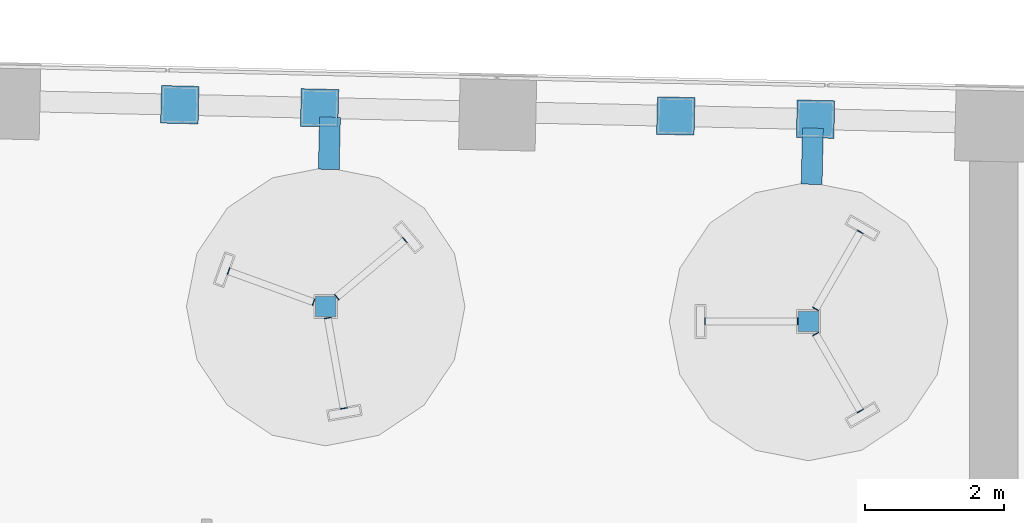
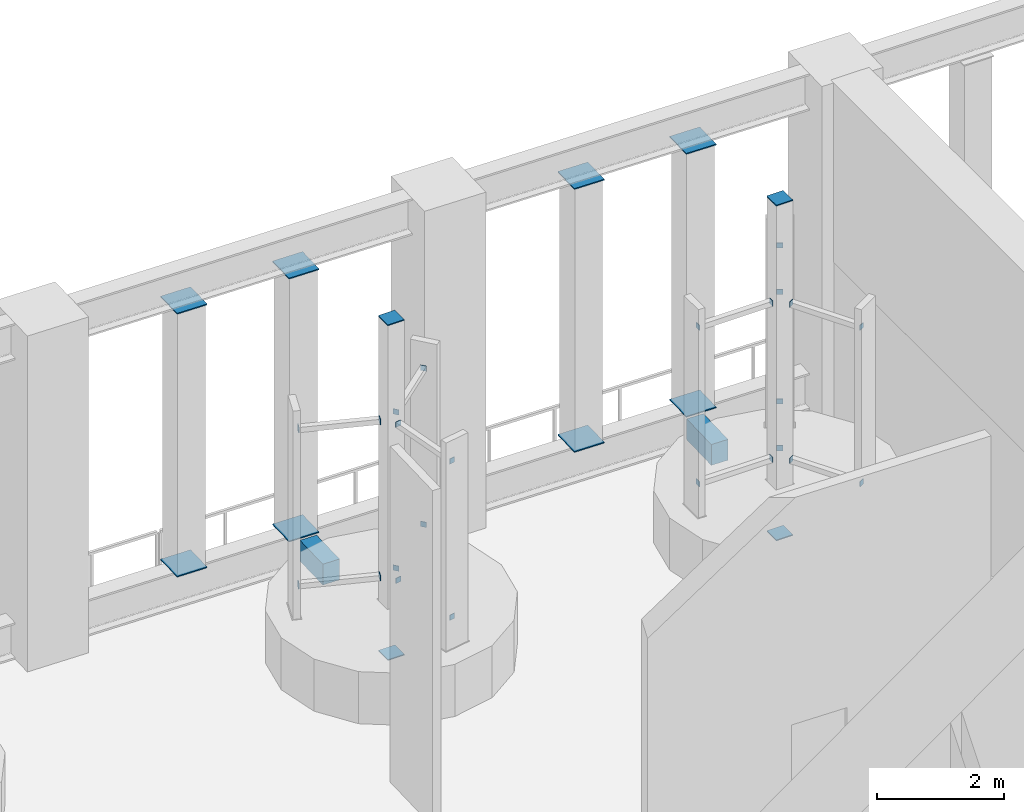
# One storey, part 24 of 33: 38 discrete accessories.
"""IFC4 building model written with IfcOpenShell, lengths in metres."""

from ifc_helpers import new_model, si_unit, direction, frame, origin, origin_2d, place, context, subcontext, project, spatial, rectangle, extrude, material, layer, layer_set, type_object, element, save


model = new_model("IFC4")

# Units and contexts
model_context = context("Model", 3, precision=1e-05, world=origin(), true_north=direction((0.0, 1.0)))
body_context = subcontext(model_context, "Body", "Model", "MODEL_VIEW")
ifc_project = project(units=[si_unit("LENGTHUNIT", "METRE"), si_unit("AREAUNIT", "SQUARE_METRE"), si_unit("VOLUMEUNIT", "CUBIC_METRE"), si_unit("PLANEANGLEUNIT", "RADIAN"), si_unit("MASSUNIT", "GRAM", prefix="KILO")], contexts=[model_context])

# Site, building, storey
site_placement = place(None, origin())
site = spatial("IfcSite", under=ifc_project, at=site_placement, CompositionType="ELEMENT")
building_placement = place(site_placement, origin())
building = spatial("IfcBuilding", under=site, at=building_placement, Name="Mangrove Gate Tower", CompositionType="ELEMENT")
storey_placement = place(building_placement, frame((0.0, 0.0, 219.5)))
storey = spatial("IfcBuildingStorey", under=building, at=storey_placement, Name="L56", CompositionType="ELEMENT", Elevation=219.5)

# Discrete accessories
ifc_material_1 = material(Name="Steel S355J2H", Category="steel")
ifc_layer_1 = layer(ifc_material_1, 0.010009765625)
ifc_layer_set_1 = layer_set([ifc_layer_1], Name="Arm end plate 100x100x10")
discrete_accessory_type_1 = type_object("IfcDiscreteAccessoryType", Name="Arm end plate 100x100x10", PredefinedType="ANCHORPLATE", material=ifc_layer_set_1)
for number, where, z_axis, x_axis, name in (
    (1, (4.02490234375, 21.365966796875, 1.449951171875), (0.0, 0.0, 1.0), (0.766044443119, 0.642787609687, 0.0), "END PLATE ARM L56 3.1.1 MAST"),
    (2, (5.001953125, 22.18603515625, 1.449951171875), (0.0, 0.0, 1.0), (0.766044443119, 0.642787609687, 0.0), "END PLATE ARM L56 3.1.1 FIN"),
    (3, (4.02490234375, 21.365966796875, 4.449951171875), (0.0, 0.0, 1.0), (0.766044443119, 0.642787609687, 0.0), "END PLATE ARM L56 3.1.2 MAST"),
    (4, (5.001953125, 22.18603515625, 4.449951171875), (0.0, 0.0, 1.0), (0.766044443119, 0.642787609687, 0.0), "END PLATE ARM L56 3.1.2 FIN"),
    (5, (3.69091796875, 21.2939453125, 1.449951171875), (0.0, 0.0, 1.0), (-0.939692620786, 0.342020143326, 0.0), "END PLATE ARM L56 3.2.1 MAST"),
    (6, (2.468994140625, 21.739013671875, 1.449951171875), (0.0, 0.0, 1.0), (-0.939692620786, 0.342020143326, 0.0), "END PLATE ARM L56 3.2.1 FIN"),
    (7, (3.69091796875, 21.2939453125, 4.449951171875), (0.0, 0.0, 1.0), (-0.939692620786, 0.342020143326, 0.0), "END PLATE ARM L56 3.2.2 MAST"),
    (8, (2.468994140625, 21.739013671875, 4.449951171875), (0.0, 0.0, 1.0), (-0.939692620786, 0.342020143326, 0.0), "END PLATE ARM L56 3.2.2 FIN"),
    (9, (3.89306640625, 21.06689453125, 1.449951171875), (0.0, 0.0, 1.0), (0.173648177667, -0.984807753012, 0.0), "END PLATE ARM L56 3.3.1 MAST"),
    (10, (4.1220703125, 19.76904296875, 1.449951171875), (0.0, 0.0, 1.0), (0.173648177667, -0.984807753012, 0.0), "END PLATE ARM L56 3.3.1 FIN"),
    (11, (3.89306640625, 21.06689453125, 4.449951171875), (0.0, 0.0, 1.0), (0.173648177667, -0.984807753012, 0.0), "END PLATE ARM L56 3.3.2 MAST"),
    (12, (4.1220703125, 19.76904296875, 4.449951171875), (0.0, 0.0, 1.0), (0.173648177667, -0.984807753012, 0.0), "END PLATE ARM L56 3.3.2 FIN"),
    (13, (10.90087890625, 21.197021484375, 1.449951171875), (0.0, 0.0, 1.0), (0.5, 0.866025403784, 0.0), "END PLATE ARM L56 4.1.1 MAST"),
    (14, (11.5400390625, 22.302978515625, 1.449951171875), (0.0, 0.0, 1.0), (0.5, 0.866025403784, 0.0), "END PLATE ARM L56 4.1.1 FIN"),
    (15, (10.90087890625, 21.197021484375, 4.449951171875), (0.0, 0.0, 1.0), (0.5, 0.866025403784, 0.0), "END PLATE ARM L56 4.1.2 MAST"),
    (16, (11.5400390625, 22.302978515625, 4.449951171875), (0.0, 0.0, 1.0), (0.5, 0.866025403784, 0.0), "END PLATE ARM L56 4.1.2 FIN"),
    (17, (10.64208984375, 21.01708984375, 1.449951171875), (0.0, 0.0, 1.0), (-1.0, 0.0, 0.0), "END PLATE ARM L56 4.2.1 MAST"),
    (18, (9.31201171875, 21.01708984375, 1.449951171875), (0.0, 0.0, 1.0), (-1.0, 0.0, 0.0), "END PLATE ARM L56 4.2.1 FIN"),
    (19, (10.64208984375, 21.01708984375, 4.449951171875), (0.0, 0.0, 1.0), (-1.0, 0.0, 0.0), "END PLATE ARM L56 4.2.2 MAST"),
    (20, (9.31201171875, 21.01708984375, 4.449951171875), (0.0, 0.0, 1.0), (-1.0, 0.0, 0.0), "END PLATE ARM L56 4.2.2 FIN"),
    (21, (10.90087890625, 20.8369140625, 1.449951171875), (0.0, 0.0, 1.0), (0.5, -0.866025403784, 0.0), "END PLATE ARM L56 4.3.1 MAST"),
    (22, (11.5400390625, 19.73095703125, 1.449951171875), (0.0, 0.0, 1.0), (0.5, -0.866025403784, 0.0), "END PLATE ARM L56 4.3.1 FIN"),
    (23, (10.90087890625, 20.8369140625, 4.449951171875), (0.0, 0.0, 1.0), (0.5, -0.866025403784, 0.0), "END PLATE ARM L56 4.3.2 MAST"),
    (24, (11.5400390625, 19.73095703125, 4.449951171875), (0.0, 0.0, 1.0), (0.5, -0.866025403784, 0.0), "END PLATE ARM L56 4.3.2 FIN"),
):
    element("IfcDiscreteAccessory", number, at=place(storey_placement, frame(where, z_axis=z_axis, x_axis=x_axis)), inside=storey, type_object=discrete_accessory_type_1, Name=name, PredefinedType="ANCHORPLATE", context=body_context, shape_type="SweptSolid", body=[
        extrude(rectangle(XDim=0.010009765625, YDim=0.10009765625, at=origin_2d()), origin(), (0.0, 0.0, 1.0), 0.10009765625),
    ])
ifc_material_2 = material(Name="Steel S355J2H", Category="steel")
ifc_layer_2 = layer(ifc_material_2, 0.02001953125)
ifc_layer_set_2 = layer_set([ifc_layer_2], Name="Belt truss end plate 540x540x20")
discrete_accessory_type_2 = type_object("IfcDiscreteAccessoryType", Name="Belt truss end plate 540x540x20", PredefinedType="ANCHORPLATE", material=ifc_layer_set_2)
for number, where, z_axis, x_axis, name in (
    (25, (10.898193359375, 23.92236328125, 0.68994140625), (0.0, 0.0, 1.0), (-0.999741400996, 0.022740517484, 0.0), "Belt truss end plate L56 20-1 bottom"),
    (26, (10.898193359375, 23.92236328125, 5.739990234375), (0.0, 0.0, 1.0), (-0.999741400996, 0.022740517484, 0.0), "Belt truss end plate L56 20-1 top"),
    (27, (8.890869140625, 23.968017578125, 0.68994140625), (0.0, 0.0, 1.0), (-0.999741400996, 0.022740517484, 0.0), "Belt truss end plate L56 20-2 bottom"),
    (28, (8.890869140625, 23.968017578125, 5.739990234375), (0.0, 0.0, 1.0), (-0.999741400996, 0.022740517484, 0.0), "Belt truss end plate L56 20-2 top"),
    (29, (3.776123046875, 24.083984375, 0.68994140625), (0.0, 0.0, 1.0), (-0.999744582204, 0.022600229076, 0.0), "Belt truss end plate L56 21-1 bottom"),
    (30, (3.776123046875, 24.083984375, 5.739990234375), (0.0, 0.0, 1.0), (-0.999744582204, 0.022600229076, 0.0), "Belt truss end plate L56 21-1 top"),
    (31, (1.768798828125, 24.12939453125, 0.68994140625), (0.0, 0.0, 1.0), (-0.999744582204, 0.022600229076, 0.0), "Belt truss end plate L56 21-2 bottom"),
    (32, (1.768798828125, 24.12939453125, 5.739990234375), (0.0, 0.0, 1.0), (-0.999744582204, 0.022600229076, 0.0), "Belt truss end plate L56 21-2 top"),
):
    element("IfcDiscreteAccessory", number, at=place(storey_placement, frame(where, z_axis=z_axis, x_axis=x_axis)), inside=storey, type_object=discrete_accessory_type_2, Name=name, PredefinedType="ANCHORPLATE", context=body_context, shape_type="SweptSolid", body=[
        extrude(rectangle(XDim=0.5400390625, YDim=0.5400390625, at=origin_2d()), origin(), (0.0, 0.0, 1.0), 0.02001953125),
    ])
ifc_material_3 = material(Name="Steel S355J2H", Category="steel")
ifc_layer_3 = layer(ifc_material_3, 0.02001953125)
ifc_layer_set_3 = layer_set([ifc_layer_3], Name="Mast end plate 300x300x20")
discrete_accessory_type_3 = type_object("IfcDiscreteAccessoryType", Name="Mast end plate 300x300x20", PredefinedType="ANCHORPLATE", material=ifc_layer_set_3)
for number, where, z_axis, x_axis, name in (
    (33, (3.864013671875, 21.23095703125, 0.0), (0.0, 0.0, 1.0), (1.0, 0.0, 0.0), "END PLATE MAST L56 3 FOOT"),
    (34, (3.864013671875, 21.23095703125, 6.429931640625), (0.0, 0.0, 1.0), (1.0, 0.0, 0.0), "END PLATE MAST L56 3 HEAD"),
    (35, (10.797119140625, 21.01708984375, 0.0), (0.0, 0.0, 1.0), (1.0, 0.0, 0.0), "END PLATE MAST L56 4 FOOT"),
    (36, (10.797119140625, 21.01708984375, 6.429931640625), (0.0, 0.0, 1.0), (1.0, 0.0, 0.0), "END PLATE MAST L56 4 HEAD"),
):
    element("IfcDiscreteAccessory", number, at=place(storey_placement, frame(where, z_axis=z_axis, x_axis=x_axis)), inside=storey, type_object=discrete_accessory_type_3, Name=name, PredefinedType="ANCHORPLATE", context=body_context, shape_type="SweptSolid", body=[
        extrude(rectangle(XDim=0.300048828125, YDim=0.300048828125, at=origin_2d()), origin(), (0.0, 0.0, 1.0), 0.02001953125),
    ])
ifc_material_4 = material(Name="Steel S355J2", Category="steel")
ifc_layer_4 = layer(ifc_material_4, 0.39990234375)
ifc_layer_set_4 = layer_set([ifc_layer_4], Name="Turbine bracket")
discrete_accessory_type_4 = type_object("IfcDiscreteAccessoryType", Name="Turbine bracket", PredefinedType="BRACKET", material=ifc_layer_set_4)
discrete_accessory_1_placement = place(storey_placement, frame((3.9169921875, 23.575439453125, 0.150146484375), z_axis=(0.0, 0.0, 1.0), x_axis=(-0.022600281423, -0.99974458102, 0.0)))
element("IfcDiscreteAccessory", 37, at=discrete_accessory_1_placement, inside=storey, type_object=discrete_accessory_type_4, Name="Turbine bracket GEN-L56-N3", PredefinedType="BRACKET", context=body_context, shape_type="SweptSolid", body=[
    extrude(rectangle(XDim=0.750244140625, YDim=0.300048828125, at=origin_2d()), origin(), (0.0, 0.0, 1.0), 0.39990234375),
])
discrete_accessory_2_placement = place(storey_placement, frame((10.85107421875, 23.389892578125, 0.150146484375), z_axis=(0.0, 0.0, 1.0), x_axis=(-0.022740622176, -0.999741398614, 0.0)))
element("IfcDiscreteAccessory", 38, at=discrete_accessory_2_placement, inside=storey, type_object=discrete_accessory_type_4, Name="Turbine bracket GEN-L56-N4", PredefinedType="BRACKET", context=body_context, shape_type="SweptSolid", body=[
    extrude(rectangle(XDim=0.806884765625, YDim=0.300048828125, at=origin_2d()), origin(), (0.0, 0.0, 1.0), 0.39990234375),
])

save(model, "model.ifc")
